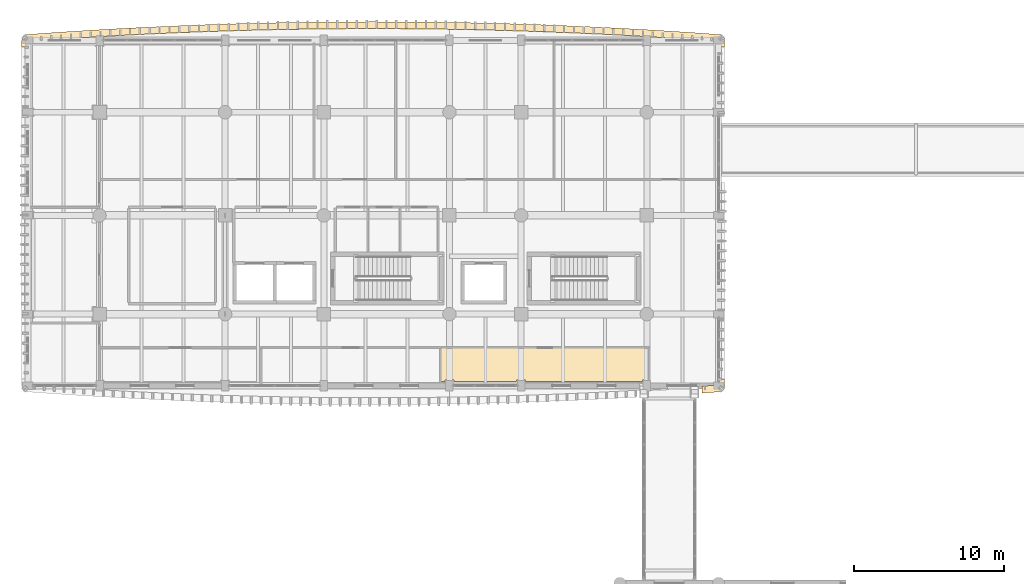
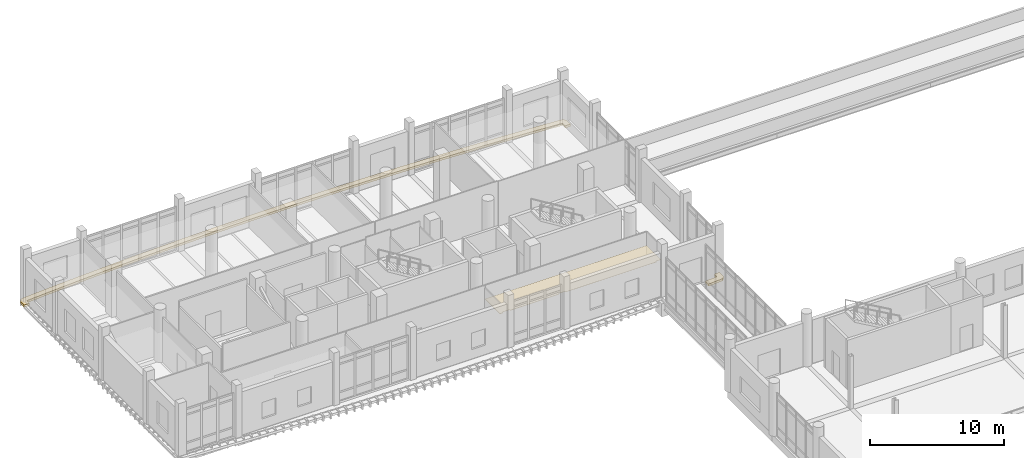
# One storey, part 87 of 101: 3 coverings.
"""IFC4 building model written with IfcOpenShell, lengths in metres."""

from ifc_helpers import new_model, si_unit, direction, frame, origin, place, context, subcontext, project, spatial, polyline, outline, extrude, material, layer, layer_set, type_object, element, save


model = new_model("IFC4")

# Units and contexts
model_context = context("Model", 3, precision=1e-05, world=origin(), true_north=direction((0.0, 1.0)))
body_context = subcontext(model_context, "Body", "Model", "MODEL_VIEW")
ifc_project = project(units=[si_unit("LENGTHUNIT", "METRE"), si_unit("AREAUNIT", "SQUARE_METRE"), si_unit("VOLUMEUNIT", "CUBIC_METRE"), si_unit("PLANEANGLEUNIT", "RADIAN"), si_unit("MASSUNIT", "GRAM", prefix="KILO")], contexts=[model_context])

# Site, building, storey
site_placement = place(None, origin())
site = spatial("IfcSite", under=ifc_project, at=site_placement, CompositionType="ELEMENT")
building_placement = place(site_placement, origin())
building = spatial("IfcBuilding", under=site, at=building_placement, Name="Dornvale Research Institute", CompositionType="ELEMENT")
storey_placement = place(building_placement, frame((0.0, 0.0, 10.199951171875)))
storey = spatial("IfcBuildingStorey", under=building, at=storey_placement, Name="L02", CompositionType="ELEMENT", Elevation=10.199951171875)

# Coverings
ifc_material_1 = material(Name="Mineral-Fibre Acoustic Lay-In Ceiling Tile System")
ifc_layer_1 = layer(ifc_material_1, 0.02001953125)
ifc_layer_set_1 = layer_set([ifc_layer_1], Name="Mineral-Fibre Acoustic Lay-In Ceiling Tile System")
covering_type_1 = type_object("IfcCoveringType", Name="Covering_Acoustic_Ceiling", PredefinedType="CEILING", material=ifc_layer_set_1)
covering_1_placement = place(storey_placement, frame((0.0, 0.0, 2.85009765625)))
element("IfcCovering", 1, at=covering_1_placement, inside=storey, type_object=covering_type_1, Name="L02 Faculty Consultation Office L02 suspended ceiling", PredefinedType="CEILING", context=body_context, shape_type="SweptSolid", body=[
    extrude(outline(polyline([(32.699951171875, 99.39990234375), (32.699951171875, 99.300048828125), (28.5, 99.300048828125), (28.5, 99.39990234375), (27.89990234375, 99.39990234375), (27.89990234375, 99.300048828125), (27.6201171875, 99.300048828125), (27.6201171875, 101.530029296875), (41.530029296875, 101.530029296875), (41.530029296875, 99.39990234375), (41.10009765625, 99.39990234375), (41.10009765625, 99.300048828125), (33.300048828125, 99.300048828125), (33.300048828125, 99.39990234375), (32.699951171875, 99.39990234375)])), origin(), (0.0, 0.0, 1.0), 0.02001953125),
])
ifc_material_2 = material(Name="Polychrome Glazed Terracotta Visor Rib Ceramic", Category="masonry")
ifc_layer_2 = layer(ifc_material_2, 0.199951171875)
ifc_layer_set_2 = layer_set([ifc_layer_2], Name="Polychrome Glazed Terracotta Visor Rib Ceramic")
covering_type_2 = type_object("IfcCoveringType", Name="Covering_VisorBrim_Shelf", PredefinedType="CLADDING", material=ifc_layer_set_2)
covering_2_placement = place(storey_placement, frame((0.0, 0.0, -0.280029296875)))
element("IfcCovering", 2, at=covering_2_placement, inside=storey, type_object=covering_type_2, Name="L02 V5 canted bowed-brim visor hood #8", PredefinedType="CLADDING", context=body_context, shape_type="SweptSolid", body=[
    extrude(outline(polyline([(46.373779296875, 98.63623046875), (46.228515625, 98.597900390625), (45.10009765625, 98.517578125), (45.10009765625, 98.982177734375), (46.139892578125, 99.055908203125), (46.139892578125, 99.449951171875), (46.603271484375, 99.449951171875), (46.603271484375, 99.0), (46.5751953125, 98.852294921875), (46.4951171875, 98.72509765625), (46.373779296875, 98.63623046875)])), origin(), (0.0, 0.0, 1.0), 0.2001953125),
])
covering_3_placement = place(storey_placement, frame((0.0, 0.0, -0.280029296875)))
element("IfcCovering", 3, at=covering_3_placement, inside=storey, type_object=covering_type_2, Name="L02 V5 canted bowed-brim visor hood #9", PredefinedType="CLADDING", context=body_context, shape_type="SweptSolid", body=[
    extrude(outline(polyline([(1.62353515625, 122.619384765625), (3.273681640625, 122.727783203125), (3.275634765625, 122.72802734375), (4.92578125, 122.827880859375), (4.927734375, 122.827880859375), (6.577880859375, 122.9189453125), (6.579833984375, 122.9189453125), (8.22998046875, 123.00146484375), (8.23193359375, 123.00146484375), (9.882080078125, 123.0751953125), (9.884033203125, 123.0751953125), (11.5341796875, 123.140380859375), (11.5361328125, 123.140380859375), (13.186279296875, 123.197021484375), (13.188232421875, 123.197021484375), (14.83837890625, 123.24462890625), (14.840576171875, 123.24462890625), (16.490478515625, 123.28369140625), (16.49267578125, 123.28369140625), (18.142578125, 123.314208984375), (18.144775390625, 123.314208984375), (19.794677734375, 123.3359375), (19.796875, 123.3359375), (21.44677734375, 123.348876953125), (21.448974609375, 123.348876953125), (23.098876953125, 123.353271484375), (23.10107421875, 123.353271484375), (24.751220703125, 123.348876953125), (24.753173828125, 123.348876953125), (26.4033203125, 123.3359375), (26.4052734375, 123.3359375), (28.055419921875, 123.314208984375), (28.057373046875, 123.314208984375), (29.70751953125, 123.28369140625), (29.70947265625, 123.28369140625), (31.359619140625, 123.24462890625), (31.36181640625, 123.24462890625), (33.01171875, 123.197021484375), (33.013916015625, 123.197021484375), (34.663818359375, 123.140380859375), (34.666015625, 123.140380859375), (36.31591796875, 123.0751953125), (36.318115234375, 123.0751953125), (37.968017578125, 123.00146484375), (37.97021484375, 123.00146484375), (39.6201171875, 122.9189453125), (39.622314453125, 122.9189453125), (41.272216796875, 122.827880859375), (41.2744140625, 122.827880859375), (42.92431640625, 122.72802734375), (42.926513671875, 122.727783203125), (44.576416015625, 122.619384765625), (44.57861328125, 122.619384765625), (46.228515625, 122.502197265625), (46.373779296875, 122.4638671875), (46.4951171875, 122.374755859375), (46.5751953125, 122.247802734375), (46.603271484375, 122.10009765625), (46.603271484375, 121.64990234375), (46.139892578125, 121.64990234375), (46.139892578125, 122.044189453125), (44.5458984375, 122.1572265625), (42.896240234375, 122.265625), (41.24658203125, 122.365478515625), (39.596923828125, 122.456298828125), (37.947265625, 122.538818359375), (36.297607421875, 122.612548828125), (34.647705078125, 122.677490234375), (32.998046875, 122.73388671875), (31.348388671875, 122.781494140625), (29.69873046875, 122.820556640625), (28.049072265625, 122.85107421875), (26.3994140625, 122.872802734375), (24.749755859375, 122.8857421875), (23.10009765625, 122.889892578125), (21.4501953125, 122.8857421875), (19.800537109375, 122.872802734375), (18.15087890625, 122.85107421875), (16.501220703125, 122.820556640625), (14.8515625, 122.781494140625), (13.201904296875, 122.73388671875), (11.55224609375, 122.677490234375), (9.902587890625, 122.612548828125), (8.252685546875, 122.538818359375), (6.60302734375, 122.456298828125), (4.95361328125, 122.365478515625), (3.3037109375, 122.265625), (1.654052734375, 122.1572265625), (0.06005859375, 122.044189453125), (0.06005859375, 121.64990234375), (-0.4033203125, 121.64990234375), (-0.4033203125, 122.10009765625), (-0.375244140625, 122.247802734375), (-0.294921875, 122.374755859375), (-0.173828125, 122.4638671875), (-0.028564453125, 122.502197265625), (1.62158203125, 122.619384765625), (1.62353515625, 122.619384765625)])), origin(), (0.0, 0.0, 1.0), 0.2001953125),
])

save(model, "model.ifc")
